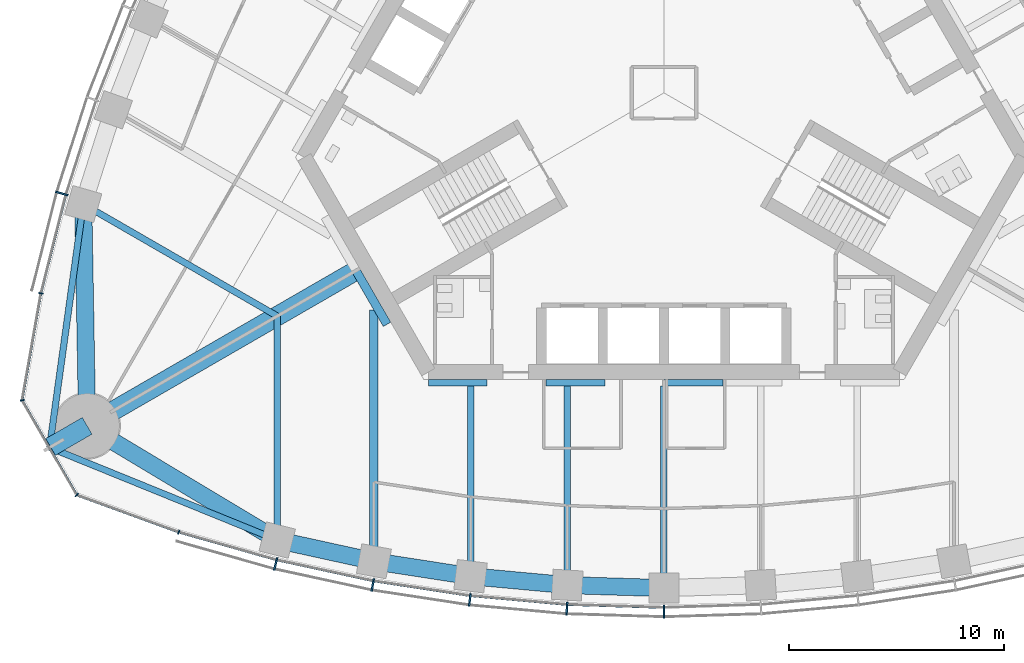
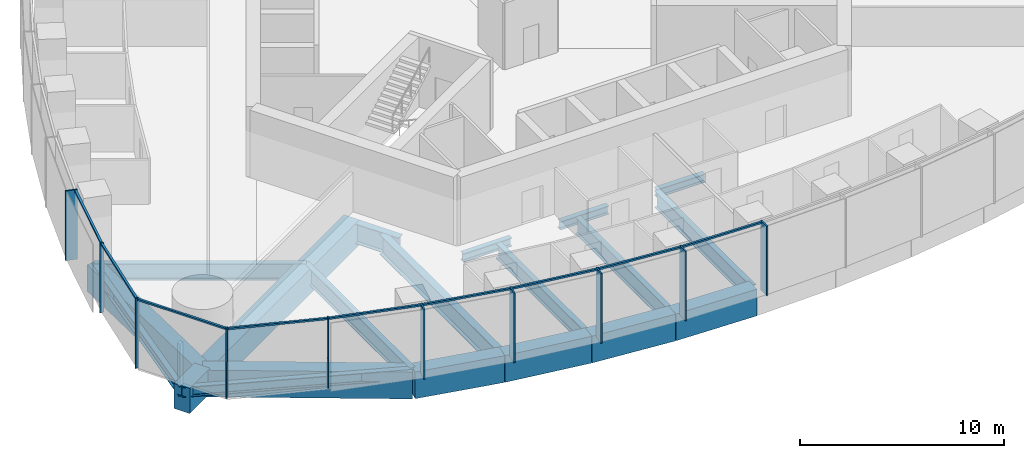
# One storey, part 2 of 16: 20 beams, 19 members, 3 elements without a shape of their own.
"""IFC4 building model written with IfcOpenShell, lengths in metres."""

from ifc_helpers import new_model, si_unit, direction, frame, origin, origin_2d, place, context, subcontext, project, spatial, rectangle, i_section, extrude, material, material_profile, profile_set, type_object, element, aggregate, save


model = new_model("IFC4")

# Units and contexts
model_context = context("Model", 3, precision=1e-05, world=origin(), true_north=direction((0.0, 1.0)))
body_context = subcontext(model_context, "Body", "Model", "MODEL_VIEW")
ifc_project = project(units=[si_unit("LENGTHUNIT", "METRE"), si_unit("AREAUNIT", "SQUARE_METRE"), si_unit("VOLUMEUNIT", "CUBIC_METRE"), si_unit("PLANEANGLEUNIT", "RADIAN"), si_unit("MASSUNIT", "GRAM", prefix="KILO")], contexts=[model_context])

# Site, building, storey
site_placement = place(None, origin())
site = spatial("IfcSite", under=ifc_project, at=site_placement, CompositionType="ELEMENT")
building_placement = place(site_placement, origin())
building = spatial("IfcBuilding", under=site, at=building_placement, Name="Trefoil Bronze Tower", CompositionType="ELEMENT")
storey_placement = place(building_placement, frame((0.0, 0.0, 284.699951171875)))
storey = spatial("IfcBuildingStorey", under=building, at=storey_placement, Name="L65", CompositionType="ELEMENT", Elevation=284.699951171875)

# Curtain wall, members
ifc_material_1 = material(Name="Tinted solar-control glass", Category="glass")
curtain_wall_type_1 = type_object("IfcCurtainWallType", Name="Bronze office curtain wall", PredefinedType="USERDEFINED", material=ifc_material_1)
curtain_wall_1_placement = place(storey_placement, origin())
curtain_wall_1 = element("IfcCurtainWall", 1, at=curtain_wall_1_placement, inside=storey, type_object=curtain_wall_type_1, Name="CW-A L65 F1", ObjectType="CURTAIN WALL", PredefinedType="USERDEFINED")
ifc_material_2 = material(Name="Bronze-finish aluminium", Category="aluminium")
ifc_material_profile_1 = material_profile(ifc_material_2, rectangle(XDim=0.60009765625, YDim=0.080078125, at=origin_2d()), Name="CW-A mullion")
ifc_profile_set_1 = profile_set([ifc_material_profile_1], Name="Bronze-finish aluminium")
member_type_1 = type_object("IfcMemberType", Name="Bronze office curtain wall mullion", PredefinedType="MULLION", material=ifc_profile_set_1)
member_1_placement = place(storey_placement, frame((-18.07275390625, -21.931884765625, 0.0), z_axis=(0.0, 0.0, 1.0), x_axis=(0.242394494031, 0.97017777199, 0.0)))
member_1 = element("IfcMember", 2, at=member_1_placement, type_object=member_type_1, Name="CW-A L65 F1 mullion 2", PredefinedType="MULLION", context=body_context, shape_type="SweptSolid", body=[
    extrude(rectangle(XDim=0.60009765625, YDim=0.080078125, at=origin_2d()), origin(), (0.0, 0.0, 1.0), 4.179931640625),
])
member_2_placement = place(storey_placement, frame((-13.554443359375, -22.911376953125, 0.0), z_axis=(0.0, 0.0, 1.0), x_axis=(0.181667218242, 0.983360067227, 0.0)))
member_2 = element("IfcMember", 3, at=member_2_placement, type_object=member_type_1, Name="CW-A L65 F1 mullion 3", PredefinedType="MULLION", context=body_context, shape_type="SweptSolid", body=[
    extrude(rectangle(XDim=0.60009765625, YDim=0.080078125, at=origin_2d()), origin(), (0.0, 0.0, 1.0), 4.179931640625),
])
member_3_placement = place(storey_placement, frame((-9.036376953125, -23.602783203125, 0.0), z_axis=(0.0, 0.0, 1.0), x_axis=(0.121109330868, 0.992639174109, 0.0)))
member_3 = element("IfcMember", 4, at=member_3_placement, type_object=member_type_1, Name="CW-A L65 F1 mullion 4", PredefinedType="MULLION", context=body_context, shape_type="SweptSolid", body=[
    extrude(rectangle(XDim=0.60009765625, YDim=0.080078125, at=origin_2d()), origin(), (0.0, 0.0, 1.0), 4.179931640625),
])
member_4_placement = place(storey_placement, frame((-4.51806640625, -24.014892578125, 0.0), z_axis=(0.0, 0.0, 1.0), x_axis=(0.060554040199, 0.998164920349, 0.0)))
member_4 = element("IfcMember", 5, at=member_4_placement, type_object=member_type_1, Name="CW-A L65 F1 mullion 5", PredefinedType="MULLION", context=body_context, shape_type="SweptSolid", body=[
    extrude(rectangle(XDim=0.60009765625, YDim=0.080078125, at=origin_2d()), origin(), (0.0, 0.0, 1.0), 4.179931640625),
])
member_5_placement = place(storey_placement, frame((0.0, -24.151611328125, 0.0), z_axis=(0.0, 0.0, 1.0), x_axis=(0.0, 1.0, 0.0)))
member_5 = element("IfcMember", 6, at=member_5_placement, type_object=member_type_1, Name="CW-A L65 F1 mullion 6", PredefinedType="MULLION", context=body_context, shape_type="SweptSolid", body=[
    extrude(rectangle(XDim=0.60009765625, YDim=0.080078125, at=origin_2d()), origin(), (0.0, 0.0, 1.0), 4.179931640625),
])

# Curtain wall, member
curtain_wall_2_placement = place(storey_placement, origin())
curtain_wall_2 = element("IfcCurtainWall", 7, at=curtain_wall_2_placement, inside=storey, type_object=curtain_wall_type_1, Name="CW-A L65 F3", ObjectType="CURTAIN WALL", PredefinedType="USERDEFINED")
member_6_placement = place(storey_placement, frame((-28.02978515625, -4.685546875, 0.0), z_axis=(0.0, 0.0, 1.0), x_axis=(0.961395843746, -0.275169096426, 0.0)))
member_6 = element("IfcMember", 8, at=member_6_placement, type_object=member_type_1, Name="CW-A L65 F3 mullion 10", PredefinedType="MULLION", context=body_context, shape_type="SweptSolid", body=[
    extrude(rectangle(XDim=0.60009765625, YDim=0.080078125, at=origin_2d()), origin(), (0.0, 0.0, 1.0), 4.179931640625),
])

# Member
ifc_material_3 = material(Name="Bronze-finish aluminium", Category="aluminium")
ifc_material_profile_2 = material_profile(ifc_material_3, rectangle(XDim=0.1201171875, YDim=0.10009765625, at=origin_2d()), Name="CW-A transom")
ifc_profile_set_2 = profile_set([ifc_material_profile_2], Name="Bronze-finish aluminium")
member_type_2 = type_object("IfcMemberType", Name="Bronze office curtain wall transom", PredefinedType="USERDEFINED", material=ifc_profile_set_2)
member_7_placement = place(storey_placement, frame((-22.537109375, -20.458740234375, 4.130126953125), z_axis=(0.962102611578, -0.272687668944, 0.0), x_axis=(0.272687668944, 0.962102611578, 0.0)))
member_7 = element("IfcMember", 9, at=member_7_placement, type_object=member_type_2, Name="CW-A L65 F1 transom 1", ObjectType="TRANSOM", PredefinedType="USERDEFINED", context=body_context, shape_type="SweptSolid", body=[
    extrude(rectangle(XDim=0.1201171875, YDim=0.10009765625, at=origin_2d()), origin(), (0.0, 0.0, 1.0), 4.6474609375),
])

member_8_placement = place(storey_placement, frame((-17.982177734375, -21.7470703125, 4.130126953125), z_axis=(0.977303780028, -0.211842681117, 0.0), x_axis=(0.211842681117, 0.977303780028, 0.0)))
member_8 = element("IfcMember", 10, at=member_8_placement, type_object=member_type_2, Name="CW-A L65 F1 transom 2", ObjectType="TRANSOM", PredefinedType="USERDEFINED", context=body_context, shape_type="SweptSolid", body=[
    extrude(rectangle(XDim=0.1201171875, YDim=0.10009765625, at=origin_2d()), origin(), (0.0, 0.0, 1.0), 4.524658203125),
])

member_9_placement = place(storey_placement, frame((-13.4755859375, -22.72119140625, 4.130126953125), z_axis=(0.988485016014, -0.151318779787, 0.0), x_axis=(0.151318779787, 0.988485016014, 0.0)))
member_9 = element("IfcMember", 11, at=member_9_placement, type_object=member_type_2, Name="CW-A L65 F1 transom 3", ObjectType="TRANSOM", PredefinedType="USERDEFINED", context=body_context, shape_type="SweptSolid", body=[
    extrude(rectangle(XDim=0.1201171875, YDim=0.10009765625, at=origin_2d()), origin(), (0.0, 0.0, 1.0), 4.472412109375),
])

member_10_placement = place(storey_placement, frame((-8.96923828125, -23.408203125, 4.130126953125), z_axis=(0.995868373079, -0.090808499059, 0.0), x_axis=(0.090808499059, 0.995868373079, 0.0)))
member_10 = element("IfcMember", 12, at=member_10_placement, type_object=member_type_2, Name="CW-A L65 F1 transom 4", ObjectType="TRANSOM", PredefinedType="USERDEFINED", context=body_context, shape_type="SweptSolid", body=[
    extrude(rectangle(XDim=0.1201171875, YDim=0.10009765625, at=origin_2d()), origin(), (0.0, 0.0, 1.0), 4.438720703125),
])

member_11_placement = place(storey_placement, frame((-4.463134765625, -23.81640625, 4.130126953125), z_axis=(0.99954057115, -0.030309183848, 0.0), x_axis=(0.030309183848, 0.99954057115, 0.0)))
member_11 = element("IfcMember", 13, at=member_11_placement, type_object=member_type_2, Name="CW-A L65 F1 transom 5", ObjectType="TRANSOM", PredefinedType="USERDEFINED", context=body_context, shape_type="SweptSolid", body=[
    extrude(rectangle(XDim=0.1201171875, YDim=0.10009765625, at=origin_2d()), origin(), (0.0, 0.0, 1.0), 4.422119140625),
])

aggregate(curtain_wall_1, [member_1, member_2, member_3, member_4, member_5, member_7, member_8, member_9, member_10, member_11])

member_12_placement = place(storey_placement, frame((-27.84814453125, -4.782470703125, 4.130126953125), z_axis=(-0.244908148095, -0.969546285123, 0.0), x_axis=(0.969546285123, -0.244908148095, 0.0)))
member_12 = element("IfcMember", 14, at=member_12_placement, type_object=member_type_2, Name="CW-A L65 F3 transom 10", ObjectType="TRANSOM", PredefinedType="USERDEFINED", context=body_context, shape_type="SweptSolid", body=[
    extrude(rectangle(XDim=0.1201171875, YDim=0.10009765625, at=origin_2d()), origin(), (0.0, 0.0, 1.0), 4.6474609375),
])

aggregate(curtain_wall_2, [member_6, member_12])

# Curtain wall, members
ifc_material_4 = material(Name="Tinted solar-control glass", Category="glass")
curtain_wall_type_2 = type_object("IfcCurtainWallType", Name="Bronze rounded corner curtain wall", PredefinedType="USERDEFINED", material=ifc_material_4)
curtain_wall_3_placement = place(storey_placement, origin())
curtain_wall_3 = element("IfcCurtainWall", 15, at=curtain_wall_3_placement, inside=storey, type_object=curtain_wall_type_2, Name="CW-B L65 K3", ObjectType="CURTAIN WALL", PredefinedType="USERDEFINED")
ifc_material_5 = material(Name="Bronze-finish aluminium", Category="aluminium")
ifc_material_profile_3 = material_profile(ifc_material_5, rectangle(XDim=0.199951171875, YDim=0.06005859375, at=origin_2d()), Name="CW-B mullion")
ifc_profile_set_3 = profile_set([ifc_material_profile_3], Name="Bronze-finish aluminium")
member_type_3 = type_object("IfcMemberType", Name="Bronze rounded corner curtain wall mullion", PredefinedType="MULLION", material=ifc_profile_set_3)
member_13_placement = place(storey_placement, frame((-28.99755859375, -9.334228515625, 0.0), z_axis=(0.0, 0.0, 1.0), x_axis=(0.984807753012, -0.173648177667, 0.0)))
member_13 = element("IfcMember", 16, at=member_13_placement, type_object=member_type_3, Name="CW-B L65 K3 mullion 1", PredefinedType="MULLION", context=body_context, shape_type="SweptSolid", body=[
    extrude(rectangle(XDim=0.199951171875, YDim=0.06005859375, at=origin_2d()), origin(), (0.0, 0.0, 1.0), 4.179931640625),
])
member_14_placement = place(storey_placement, frame((-29.86865234375, -14.30908203125, 0.0), z_axis=(0.0, 0.0, 1.0), x_axis=(0.984807753012, 0.173648177667, 0.0)))
member_14 = element("IfcMember", 17, at=member_14_placement, type_object=member_type_3, Name="CW-B L65 K3 mullion 2", PredefinedType="MULLION", context=body_context, shape_type="SweptSolid", body=[
    extrude(rectangle(XDim=0.199951171875, YDim=0.06005859375, at=origin_2d()), origin(), (0.0, 0.0, 1.0), 4.179931640625),
])
member_15_placement = place(storey_placement, frame((-27.326416015625, -18.712646484375, 0.0), z_axis=(0.0, 0.0, 1.0), x_axis=(0.642787609687, 0.766044443119, 0.0)))
member_15 = element("IfcMember", 18, at=member_15_placement, type_object=member_type_3, Name="CW-B L65 K3 mullion 3", PredefinedType="MULLION", context=body_context, shape_type="SweptSolid", body=[
    extrude(rectangle(XDim=0.199951171875, YDim=0.06005859375, at=origin_2d()), origin(), (0.0, 0.0, 1.0), 4.179931640625),
])
member_16_placement = place(storey_placement, frame((-22.58251953125, -20.445556640625, 0.0), z_axis=(0.0, 0.0, 1.0), x_axis=(0.342020143326, 0.939692620786, 0.0)))
member_16 = element("IfcMember", 19, at=member_16_placement, type_object=member_type_3, Name="CW-B L65 K3 mullion 4", PredefinedType="MULLION", context=body_context, shape_type="SweptSolid", body=[
    extrude(rectangle(XDim=0.199951171875, YDim=0.06005859375, at=origin_2d()), origin(), (0.0, 0.0, 1.0), 4.179931640625),
])
ifc_material_6 = material(Name="Bronze-finish aluminium", Category="aluminium")
ifc_material_profile_4 = material_profile(ifc_material_6, rectangle(XDim=0.1201171875, YDim=0.10009765625, at=origin_2d()), Name="CW-B transom")
ifc_profile_set_4 = profile_set([ifc_material_profile_4], Name="Bronze-finish aluminium")
member_type_4 = type_object("IfcMemberType", Name="Bronze rounded corner curtain wall transom", PredefinedType="USERDEFINED", material=ifc_profile_set_4)
member_17_placement = place(storey_placement, frame((-29.0029296875, -9.36376953125, 4.130126953125), z_axis=(-0.173633591509, -0.984810324834, 0.0), x_axis=(0.984810324834, -0.173633591509, 0.0)))
member_17 = element("IfcMember", 20, at=member_17_placement, type_object=member_type_4, Name="CW-B L65 K3 transom 1", ObjectType="TRANSOM", PredefinedType="USERDEFINED", context=body_context, shape_type="SweptSolid", body=[
    extrude(rectangle(XDim=0.1201171875, YDim=0.10009765625, at=origin_2d()), origin(), (0.0, 0.0, 1.0), 4.956298828125),
])
member_18_placement = place(storey_placement, frame((-29.841796875, -14.36767578125, 4.130126953125), z_axis=(0.499985403706, -0.866033830794, 0.0), x_axis=(0.866033830794, 0.499985403706, 0.0)))
member_18 = element("IfcMember", 21, at=member_18_placement, type_object=member_type_4, Name="CW-B L65 K3 transom 2", ObjectType="TRANSOM", PredefinedType="USERDEFINED", context=body_context, shape_type="SweptSolid", body=[
    extrude(rectangle(XDim=0.1201171875, YDim=0.10009765625, at=origin_2d()), origin(), (0.0, 0.0, 1.0), 4.956298828125),
])
member_19_placement = place(storey_placement, frame((-27.26806640625, -18.740234375, 4.130126953125), z_axis=(0.93969990549, -0.342000128103, 0.0), x_axis=(0.342000128103, 0.93969990549, 0.0)))
member_19 = element("IfcMember", 22, at=member_19_placement, type_object=member_type_4, Name="CW-B L65 K3 transom 3", ObjectType="TRANSOM", PredefinedType="USERDEFINED", context=body_context, shape_type="SweptSolid", body=[
    extrude(rectangle(XDim=0.1201171875, YDim=0.10009765625, at=origin_2d()), origin(), (0.0, 0.0, 1.0), 4.956298828125),
])
aggregate(curtain_wall_3, [member_13, member_14, member_15, member_16, member_17, member_18, member_19])

# Beams
ifc_material_7 = material(Name="Steel C355", Category="steel")
ifc_material_profile_5 = material_profile(ifc_material_7, i_section(OverallWidth=0.300048828125, OverallDepth=0.5, WebThickness=0.014404296875, FlangeThickness=0.028076171875, FilletRadius=0.027099609375, at=origin_2d()), Name="HEB 500")
ifc_profile_set_5 = profile_set([ifc_material_profile_5], Name="Steel C355")
beam_type_1 = type_object("IfcBeamType", Name="Core seat beam HEB 500", PredefinedType="BEAM", material=ifc_profile_set_5)
for number, where, z_axis, x_axis, name in (
    (23, (-10.9697265625, -13.5, -0.449951171875), (1.0, 0.0, 0.0), (0.0, 1.0, 0.0), "Core seat beam F1/-2 L65"),
    (24, (-5.48486328125, -13.5, -0.449951171875), (1.0, 0.0, 0.0), (0.0, 1.0, 0.0), "Core seat beam F1/-1 L65"),
    (25, (0.0, -13.5, -0.449951171875), (1.0, 0.0, 0.0), (0.0, 1.0, 0.0), "Core seat beam F1/+0 L65"),
):
    element("IfcBeam", number, at=place(storey_placement, frame(where, z_axis=z_axis, x_axis=x_axis)), inside=storey, type_object=beam_type_1, Name=name, PredefinedType="BEAM", context=body_context, shape_type="SweptSolid", body=[
        extrude(i_section(OverallWidth=0.300048828125, OverallDepth=0.5, WebThickness=0.014404296875, FlangeThickness=0.028076171875, FilletRadius=0.027099609375, at=origin_2d()), origin(), (0.0, 0.0, 1.0), 2.742431640625),
    ])
ifc_material_8 = material(Name="Steel C355", Category="steel")
ifc_material_profile_6 = material_profile(ifc_material_8, i_section(OverallWidth=0.39990234375, OverallDepth=1.199951171875, WebThickness=0.02001953125, FlangeThickness=0.0400390625, FilletRadius=0.010009765625, at=origin_2d()), Name="WPG 1200")
ifc_profile_set_6 = profile_set([ifc_material_profile_6], Name="Steel C355")
beam_type_2 = type_object("IfcBeamType", Name="Core seat beam WPG 1200", PredefinedType="BEAM", material=ifc_profile_set_6)
beam_1_placement = place(storey_placement, frame((-14.332763671875, -8.27490234375, -0.800048828125), z_axis=(0.499995765644, -0.866027848477, 0.0), x_axis=(0.866027848477, 0.499995765644, 0.0)))
element("IfcBeam", 26, at=beam_1_placement, inside=storey, type_object=beam_type_2, Name="Core seat beam F1/-3 L65", PredefinedType="BEAM", context=body_context, shape_type="SweptSolid", body=[
    extrude(i_section(OverallWidth=0.39990234375, OverallDepth=1.199951171875, WebThickness=0.02001953125, FlangeThickness=0.0400390625, FilletRadius=0.010009765625, at=origin_2d()), origin(), (0.0, 0.0, 1.0), 2.88671875),
])
ifc_material_9 = material(Name="Concrete B80", Category="concrete")
ifc_material_profile_7 = material_profile(ifc_material_9, rectangle(XDim=0.89990234375, YDim=1.5, at=origin_2d()), Name="RC 900x1500")
ifc_profile_set_7 = profile_set([ifc_material_profile_7], Name="Concrete B80")
beam_type_3 = type_object("IfcBeamType", Name="Corner cantilever RC 900x1500", PredefinedType="BEAM", material=ifc_profile_set_7)
beam_2_placement = place(storey_placement, frame((-26.8466796875, -15.5, -0.949951171875), z_axis=(-0.866010470582, -0.500025864173, 0.0), x_axis=(0.500025864173, -0.866010470582, 0.0)))
element("IfcBeam", 27, at=beam_2_placement, inside=storey, type_object=beam_type_3, Name="Corner cantilever K3 L65", PredefinedType="BEAM", context=body_context, shape_type="SweptSolid", body=[
    extrude(rectangle(XDim=0.89990234375, YDim=1.5, at=origin_2d()), origin(), (0.0, 0.0, 1.0), 2.02001953125),
])
ifc_material_10 = material(Name="Steel C355", Category="steel")
ifc_material_profile_8 = material_profile(ifc_material_10, i_section(OverallWidth=0.300048828125, OverallDepth=0.60009765625, WebThickness=0.015380859375, FlangeThickness=0.030029296875, FilletRadius=0.027099609375, at=origin_2d()), Name="HEB 600")
ifc_profile_set_8 = profile_set([ifc_material_profile_8], Name="Steel C355")
beam_type_4 = type_object("IfcBeamType", Name="Corner edge beam HEB 600", PredefinedType="BEAM", material=ifc_profile_set_8)
beam_3_placement = place(storey_placement, frame((-18.0, -20.816162109375, -0.5), z_axis=(-0.926419351914, 0.376493272714, 0.0), x_axis=(-0.376493272714, -0.926419351914, 0.0)))
element("IfcBeam", 28, at=beam_3_placement, inside=storey, type_object=beam_type_4, Name="Corner edge beam F1B L65", PredefinedType="BEAM", context=body_context, shape_type="SweptSolid", body=[
    extrude(i_section(OverallWidth=0.300048828125, OverallDepth=0.60009765625, WebThickness=0.015380859375, FlangeThickness=0.030029296875, FilletRadius=0.027099609375, at=origin_2d()), origin(), (0.0, 0.0, 1.0), 11.4375),
])
beam_4_placement = place(storey_placement, frame((-27.02734375, -5.180419921875, -0.5), z_axis=(-0.137143714313, -0.990551160529, 0.0), x_axis=(0.990551160529, -0.137143714313, 0.0)))
element("IfcBeam", 29, at=beam_4_placement, inside=storey, type_object=beam_type_4, Name="Corner edge beam F3A L65", PredefinedType="BEAM", context=body_context, shape_type="SweptSolid", body=[
    extrude(i_section(OverallWidth=0.300048828125, OverallDepth=0.60009765625, WebThickness=0.015380859375, FlangeThickness=0.030029296875, FilletRadius=0.027099609375, at=origin_2d()), origin(), (0.0, 0.0, 1.0), 11.437744140625),
])
ifc_material_11 = material(Name="Concrete B80", Category="concrete")
ifc_material_profile_9 = material_profile(ifc_material_11, rectangle(XDim=0.89990234375, YDim=1.5, at=origin_2d()), Name="RC 900x1500")
ifc_profile_set_9 = profile_set([ifc_material_profile_9], Name="Concrete B80")
beam_type_5 = type_object("IfcBeamType", Name="Corner girder RC 900x1500", PredefinedType="BEAM", material=ifc_profile_set_9)
beam_5_placement = place(storey_placement, frame((-14.159423828125, -8.175048828125, -0.949951171875), z_axis=(-0.866026568746, -0.499997982221, 0.0), x_axis=(0.499997982221, -0.866026568746, 0.0)))
element("IfcBeam", 30, at=beam_5_placement, inside=storey, type_object=beam_type_5, Name="Corner girder K3 L65", PredefinedType="BEAM", context=body_context, shape_type="SweptSolid", body=[
    extrude(rectangle(XDim=0.89990234375, YDim=1.5, at=origin_2d()), origin(), (0.0, 0.0, 1.0), 14.64990234375),
])
ifc_material_12 = material(Name="Concrete B80", Category="concrete")
ifc_material_profile_10 = material_profile(ifc_material_12, rectangle(XDim=0.800048828125, YDim=1.60009765625, at=origin_2d()), Name="RC 800x1600")
ifc_profile_set_10 = profile_set([ifc_material_profile_10], Name="Concrete B80")
beam_type_6 = type_object("IfcBeamType", Name="End spandrel beam RC 800x1600", PredefinedType="SPANDREL", material=ifc_profile_set_10)
for number, where, z_axis, x_axis, name in (
    (31, (-26.8466796875, -15.5, -1.0), (0.857144173035, -0.515076563855, 0.0), (0.515076563855, 0.857144173035, 0.0), "Spandrel F1.1 L65"),
    (32, (-27.02734375, -5.180419921875, -1.0), (0.017504237714, -0.999846789094, 0.0), (0.999846789094, 0.017504237714, 0.0), "Spandrel F3.10 L65"),
):
    element("IfcBeam", number, at=place(storey_placement, frame(where, z_axis=z_axis, x_axis=x_axis)), inside=storey, type_object=beam_type_6, Name=name, PredefinedType="SPANDREL", context=body_context, shape_type="SweptSolid", body=[
        extrude(rectangle(XDim=0.800048828125, YDim=1.60009765625, at=origin_2d()), origin(), (0.0, 0.0, 1.0), 10.321044921875),
    ])
ifc_material_13 = material(Name="Steel C355", Category="steel")
ifc_material_profile_11 = material_profile(ifc_material_13, i_section(OverallWidth=0.300048828125, OverallDepth=1.0, WebThickness=0.01904296875, FlangeThickness=0.035888671875, FilletRadius=0.030029296875, at=origin_2d()), Name="HEB 1000")
ifc_profile_set_11 = profile_set([ifc_material_profile_11], Name="Steel C355")
beam_type_7 = type_object("IfcBeamType", Name="Floor beam HEB 1000", PredefinedType="BEAM", material=ifc_profile_set_11)
beam_6_placement = place(storey_placement, frame((-4.5, -22.913818359375, -0.699951171875), z_axis=(0.0, 1.0, 0.0), x_axis=(-1.0, 0.0, 0.0)))
element("IfcBeam", 33, at=beam_6_placement, inside=storey, type_object=beam_type_7, Name="Floor beam F1/-1 L65", PredefinedType="BEAM", context=body_context, shape_type="SweptSolid", body=[
    extrude(i_section(OverallWidth=0.300048828125, OverallDepth=1.0, WebThickness=0.01904296875, FlangeThickness=0.035888671875, FilletRadius=0.030029296875, at=origin_2d()), origin(), (0.0, 0.0, 1.0), 9.263916015625),
])
beam_7_placement = place(storey_placement, frame((0.0, -23.051513671875, -0.699951171875), z_axis=(0.0, 1.0, 0.0), x_axis=(-1.0, 0.0, 0.0)))
element("IfcBeam", 34, at=beam_7_placement, inside=storey, type_object=beam_type_7, Name="Floor beam F1/+0 L65", PredefinedType="BEAM", context=body_context, shape_type="SweptSolid", body=[
    extrude(i_section(OverallWidth=0.300048828125, OverallDepth=1.0, WebThickness=0.01904296875, FlangeThickness=0.035888671875, FilletRadius=0.030029296875, at=origin_2d()), origin(), (0.0, 0.0, 1.0), 9.401611328125),
])
ifc_material_14 = material(Name="Steel C355", Category="steel")
ifc_material_profile_12 = material_profile(ifc_material_14, i_section(OverallWidth=0.300048828125, OverallDepth=0.89990234375, WebThickness=0.0185546875, FlangeThickness=0.034912109375, FilletRadius=0.030029296875, at=origin_2d()), Name="HEB 900")
ifc_profile_set_12 = profile_set([ifc_material_profile_12], Name="Steel C355")
beam_type_8 = type_object("IfcBeamType", Name="Floor beam HEB 900", PredefinedType="BEAM", material=ifc_profile_set_12)
beam_8_placement = place(storey_placement, frame((-9.0, -22.499267578125, -0.64990234375), z_axis=(0.0, 1.0, 0.0), x_axis=(-1.0, 0.0, 0.0)))
element("IfcBeam", 35, at=beam_8_placement, inside=storey, type_object=beam_type_8, Name="Floor beam F1/-2 L65", PredefinedType="BEAM", context=body_context, shape_type="SweptSolid", body=[
    extrude(i_section(OverallWidth=0.300048828125, OverallDepth=0.89990234375, WebThickness=0.0185546875, FlangeThickness=0.034912109375, FilletRadius=0.030029296875, at=origin_2d()), origin(), (0.0, 0.0, 1.0), 8.849365234375),
])
ifc_material_15 = material(Name="Steel C355", Category="steel")
ifc_material_profile_13 = material_profile(ifc_material_15, i_section(OverallWidth=0.302001953125, OverallDepth=1.008056640625, WebThickness=0.02099609375, FlangeThickness=0.0400390625, FilletRadius=0.030029296875, at=origin_2d()), Name="HEM 1000")
ifc_profile_set_13 = profile_set([ifc_material_profile_13], Name="Steel C355")
beam_type_9 = type_object("IfcBeamType", Name="Floor beam HEM 1000", PredefinedType="BEAM", material=ifc_profile_set_13)
for number, where, z_axis, x_axis, name in (
    (36, (-18.0, -20.816162109375, -0.703857421875), (0.0, 1.0, 0.0), (-1.0, 0.0, 0.0), "Floor beam F1/-4 L65"),
    (37, (-27.02734375, -5.180419921875, -0.703857421875), (0.866026453994, -0.499998180979, 0.0), (0.499998180979, 0.866026453994, 0.0), "Floor beam F3/+4 L65"),
):
    element("IfcBeam", number, at=place(storey_placement, frame(where, z_axis=z_axis, x_axis=x_axis)), inside=storey, type_object=beam_type_9, Name=name, PredefinedType="BEAM", context=body_context, shape_type="SweptSolid", body=[
        extrude(i_section(OverallWidth=0.302001953125, OverallDepth=1.008056640625, WebThickness=0.02099609375, FlangeThickness=0.0400390625, FilletRadius=0.030029296875, at=origin_2d()), origin(), (0.0, 0.0, 1.0), 10.423828125),
    ])
ifc_material_16 = material(Name="Steel C355", Category="steel")
ifc_material_profile_14 = material_profile(ifc_material_16, i_section(OverallWidth=0.39990234375, OverallDepth=1.199951171875, WebThickness=0.02001953125, FlangeThickness=0.0400390625, FilletRadius=0.010009765625, at=origin_2d()), Name="WPG 1200")
ifc_profile_set_14 = profile_set([ifc_material_profile_14], Name="Steel C355")
beam_type_10 = type_object("IfcBeamType", Name="Floor beam WPG 1200", PredefinedType="BEAM", material=ifc_profile_set_14)
beam_9_placement = place(storey_placement, frame((-13.5, -21.802734375, -0.800048828125), z_axis=(0.0, 1.0, 0.0), x_axis=(-1.0, 0.0, 0.0)))
element("IfcBeam", 38, at=beam_9_placement, inside=storey, type_object=beam_type_10, Name="Floor beam F1/-3 L65", PredefinedType="BEAM", context=body_context, shape_type="SweptSolid", body=[
    extrude(i_section(OverallWidth=0.39990234375, OverallDepth=1.199951171875, WebThickness=0.02001953125, FlangeThickness=0.0400390625, FilletRadius=0.010009765625, at=origin_2d()), origin(), (0.0, 0.0, 1.0), 11.685302734375),
])
ifc_material_17 = material(Name="Concrete B80", Category="concrete")
ifc_material_profile_15 = material_profile(ifc_material_17, rectangle(XDim=0.800048828125, YDim=1.60009765625, at=origin_2d()), Name="RC 800x1600")
ifc_profile_set_15 = profile_set([ifc_material_profile_15], Name="Concrete B80")
beam_type_11 = type_object("IfcBeamType", Name="Spandrel beam RC 800x1600", PredefinedType="SPANDREL", material=ifc_profile_set_15)
beam_10_placement = place(storey_placement, frame((-18.0, -20.816162109375, -1.0), z_axis=(0.976800342355, -0.214152028182, 0.0), x_axis=(0.214152028182, 0.976800342355, 0.0)))
element("IfcBeam", 39, at=beam_10_placement, inside=storey, type_object=beam_type_11, Name="Spandrel F1.2 L65", PredefinedType="SPANDREL", context=body_context, shape_type="SweptSolid", body=[
    extrude(rectangle(XDim=0.800048828125, YDim=1.60009765625, at=origin_2d()), origin(), (0.0, 0.0, 1.0), 4.60693359375),
])
beam_11_placement = place(storey_placement, frame((-13.5, -21.802734375, -1.0), z_axis=(0.988231820946, -0.152963616816, 0.0), x_axis=(0.152963616816, 0.988231820946, 0.0)))
element("IfcBeam", 40, at=beam_11_placement, inside=storey, type_object=beam_type_11, Name="Spandrel F1.3 L65", PredefinedType="SPANDREL", context=body_context, shape_type="SweptSolid", body=[
    extrude(rectangle(XDim=0.800048828125, YDim=1.60009765625, at=origin_2d()), origin(), (0.0, 0.0, 1.0), 4.553466796875),
])
beam_12_placement = place(storey_placement, frame((-9.0, -22.499267578125, -1.0), z_axis=(0.995783550481, -0.091733966402, 0.0), x_axis=(0.091733966402, 0.995783550481, 0.0)))
element("IfcBeam", 41, at=beam_12_placement, inside=storey, type_object=beam_type_11, Name="Spandrel F1.4 L65", PredefinedType="SPANDREL", context=body_context, shape_type="SweptSolid", body=[
    extrude(rectangle(XDim=0.800048828125, YDim=1.60009765625, at=origin_2d()), origin(), (0.0, 0.0, 1.0), 4.51904296875),
])
beam_13_placement = place(storey_placement, frame((-4.5, -22.913818359375, -1.0), z_axis=(0.999532180362, -0.03058464354, 0.0), x_axis=(0.03058464354, 0.999532180362, 0.0)))
element("IfcBeam", 42, at=beam_13_placement, inside=storey, type_object=beam_type_11, Name="Spandrel F1.5 L65", PredefinedType="SPANDREL", context=body_context, shape_type="SweptSolid", body=[
    extrude(rectangle(XDim=0.800048828125, YDim=1.60009765625, at=origin_2d()), origin(), (0.0, 0.0, 1.0), 4.502197265625),
])

save(model, "model.ifc")
